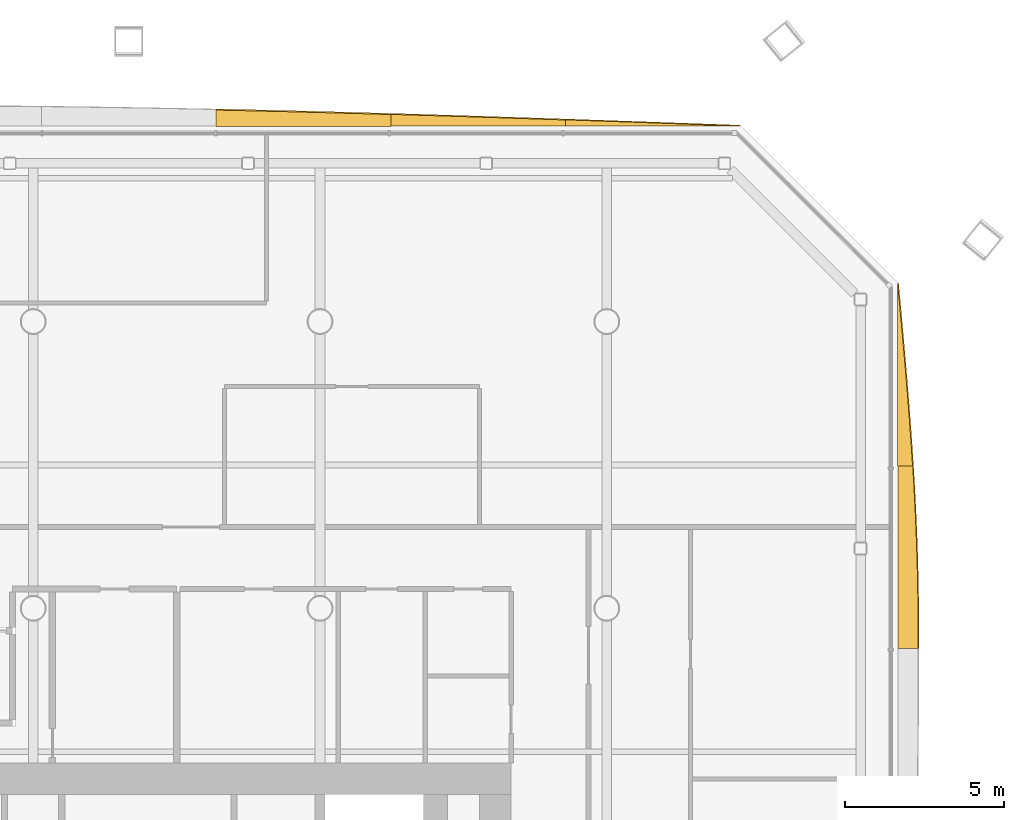
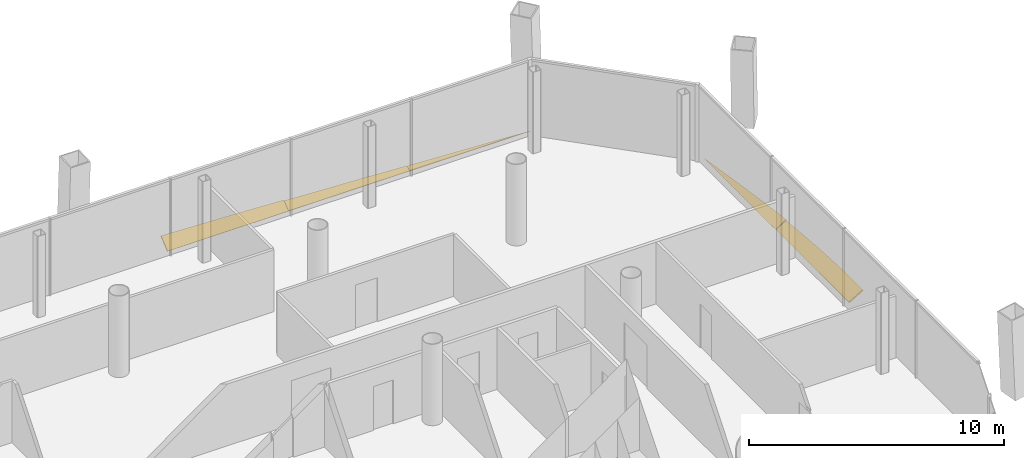
# One storey, part 19 of 19: 5 shading devices.
"""IFC4 building model written with IfcOpenShell, lengths in metres."""

from ifc_helpers import new_model, si_unit, direction, frame, origin, place, context, subcontext, project, spatial, polyline, outline, extrude, material, layer, layer_set, type_object, element, save


model = new_model("IFC4")

# Units and contexts
model_context = context("Model", 3, precision=1e-05, world=origin(), true_north=direction((0.0, 1.0)))
body_context = subcontext(model_context, "Body", "Model", "MODEL_VIEW")
ifc_project = project(units=[si_unit("LENGTHUNIT", "METRE"), si_unit("AREAUNIT", "SQUARE_METRE"), si_unit("VOLUMEUNIT", "CUBIC_METRE"), si_unit("PLANEANGLEUNIT", "RADIAN"), si_unit("MASSUNIT", "GRAM", prefix="KILO")], contexts=[model_context])

# Site, building, storey
site_placement = place(None, origin())
site = spatial("IfcSite", under=ifc_project, at=site_placement, CompositionType="ELEMENT")
building_placement = place(site_placement, origin())
building = spatial("IfcBuilding", under=site, at=building_placement, Name="Tskaro Facet Tower", CompositionType="ELEMENT")
storey_placement = place(building_placement, frame((0.0, 0.0, 101.10009765625)))
storey = spatial("IfcBuildingStorey", under=building, at=storey_placement, Name="L24", CompositionType="ELEMENT", Elevation=101.10009765625)

# Shading devices
ifc_material = material(Name="Bronze anodised aluminium 6063-T6", Category="aluminium")
ifc_layer = layer(ifc_material, 0.06005859375, Name="Bronze anodised aluminium 6063-T6")
ifc_layer_set = layer_set([ifc_layer], Name="Bronze anodised aluminium 6063-T6")
shading_device_type = type_object("IfcShadingDeviceType", Name="Bronze sun blade (FN1)", PredefinedType="USERDEFINED", material=ifc_layer_set)
shading_device_1_placement = place(storey_placement, frame((27.135009765625, 7.74462890625, 0.0517578125), z_axis=(-0.500117741314, 1.293131e-06, 0.865957415132), x_axis=(6.46718e-07, 0.999999999999, -1.119796e-06)))
element("IfcShadingDevice", 1, at=shading_device_1_placement, inside=storey, type_object=shading_device_type, Name="Fin blade east 6", ObjectType="FIN", PredefinedType="USERDEFINED", context=body_context, shape_type="SweptSolid", body=[
    extrude(outline(polyline([(0.0, 0.0), (5.721191406245216, 0.0), (5.721191406268534, -0.538478645403428), (5.006103515577943, -0.5867184828979949), (4.291015625125704, -0.6289313095637373), (3.5756835936552527, -0.66427146386244), (2.8605957031212563, -0.6927061630627808), (2.1455078124250457, -0.7136011610110982), (1.4304199219978966, -0.7270457740340079), (0.7153320312506425, -0.7327392704203405), (0.5493164061352835, -0.7330727848628323), (1.240585124217204e-12, -0.7327392704203405), (0.0, 0.0)])), origin(), (0.0, 0.0, -1.0), 0.06005859375),
])
shading_device_2_placement = place(storey_placement, frame((27.130615234375, 13.4658203125, 0.049072265625), z_axis=(-0.573570977038, -1.208786e-05, 0.819155866825), x_axis=(-6.933246e-06, 0.999999999927, 9.901841e-06)))
element("IfcShadingDevice", 2, at=shading_device_2_placement, inside=storey, type_object=shading_device_type, Name="Fin blade east 7", ObjectType="FIN", PredefinedType="USERDEFINED", context=body_context, shape_type="SweptSolid", body=[
    extrude(outline(polyline([(0.0, 0.0), (5.721191405832021, 0.0), (5.006103513680775, -0.07978309205054654), (4.291015625882835, -0.1586261952230122), (3.575683592143451, -0.2359691816100927), (2.8605957038687104, -0.31061211585990584), (2.1455078131813052, -0.3821349020419735), (1.4304199220170992, -0.4494575193013886), (0.7150878907190427, -0.5120399572106977), (-9.12409723191519e-10, -0.5692021733656214), (0.0, 0.0)])), origin(), (0.0, 0.0, -1.0), 0.06005859375),
])
shading_device_3_placement = place(storey_placement, frame((22.18701171875, 24.135009765625, 0.0517578125), z_axis=(-2.549376e-06, -0.500871272922, 0.865521789417), x_axis=(-0.999999999997, 1.276909e-06, -2.20654e-06)))
element("IfcShadingDevice", 3, at=shading_device_3_placement, inside=storey, type_object=shading_device_type, Name="Fin blade north 1", ObjectType="FIN", PredefinedType="USERDEFINED", context=body_context, shape_type="SweptSolid", body=[
    extrude(outline(polyline([(0.0, 0.0), (5.481933593732186, 0.0), (5.481933593764949, -0.2242408711263037), (4.796874999945415, -0.19689604572166236), (4.111572266039589, -0.16942893729140499), (3.4262695315102722, -0.14153921079990756), (2.7409667966692104, -0.1134381752777901), (2.055664062366854, -0.0852148567300566), (1.3706054686894968, -0.0569915381823231), (0.6853027340753953, -0.028556910603969567), (0.0, 0.0)])), origin(), (0.0, 0.0, -1.0), 0.06005859375),
])
shading_device_4_placement = place(storey_placement, frame((16.705078125, 24.130615234375, 0.049072265625), z_axis=(-5.531927e-06, -0.573547966867, 0.81917197808), x_axis=(-0.999999999985, 3.172825e-06, -4.531599e-06)))
element("IfcShadingDevice", 4, at=shading_device_4_placement, inside=storey, type_object=shading_device_type, Name="Fin blade north 2", ObjectType="FIN", PredefinedType="USERDEFINED", context=body_context, shape_type="SweptSolid", body=[
    extrude(outline(polyline([(0.0, 0.0), (5.482177734291117, 0.0), (5.4821777343307225, -0.4512175829396974), (4.796874999841272, -0.42649662193859694), (4.111572265240669, -0.4008956287431532), (3.4262695309717994, -0.3749546160298949), (2.740966797366393, -0.34833356428100726), (2.0559082039431, -0.32117249985559093), (1.3706054683455784, -0.2936114491127465), (0.6853027341861367, -0.2655703524929869), (-4.1618851311592543e-10, -0.23698924319669848), (0.0, 0.0)])), origin(), (0.0, 0.0, -1.0), 0.06005859375),
])
shading_device_5_placement = place(storey_placement, frame((11.222900390625, 24.12646484375, 0.0458984375), z_axis=(5.318416e-06, -0.642780060805, 0.766050777301), x_axis=(-0.999999999986, -3.418572e-06, 4.074177e-06)))
element("IfcShadingDevice", 5, at=shading_device_5_placement, inside=storey, type_object=shading_device_type, Name="Fin blade north 3", ObjectType="FIN", PredefinedType="USERDEFINED", context=body_context, shape_type="SweptSolid", body=[
    extrude(outline(polyline([(0.0, 0.0), (5.48193359367247, -2.3216891842832104e-21), (5.48193359366753, -0.665445480852803), (4.796630859325234, -0.6456896919476134), (4.111328125497431, -0.6250589732441905), (3.4262695309798334, -0.6035834201323041), (2.7409667971863447, -0.5810459131066301), (2.0556640620780637, -0.5576635716724928), (1.3703613283188878, -0.5332192763245677), (0.6850585934049798, -0.5082740994095185), (-3.6943892390872666e-10, -0.4824539926962362), (0.0, 0.0)])), origin(), (0.0, 0.0, -1.0), 0.06005859375),
])

save(model, "model.ifc")
